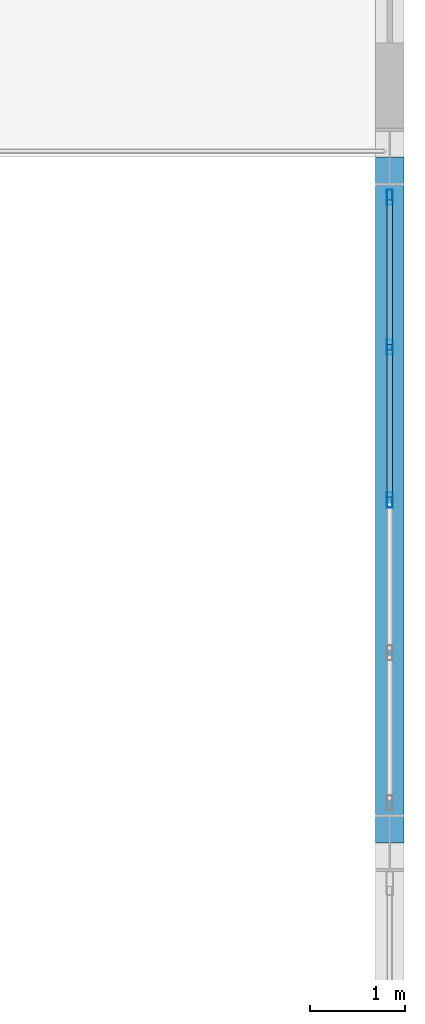
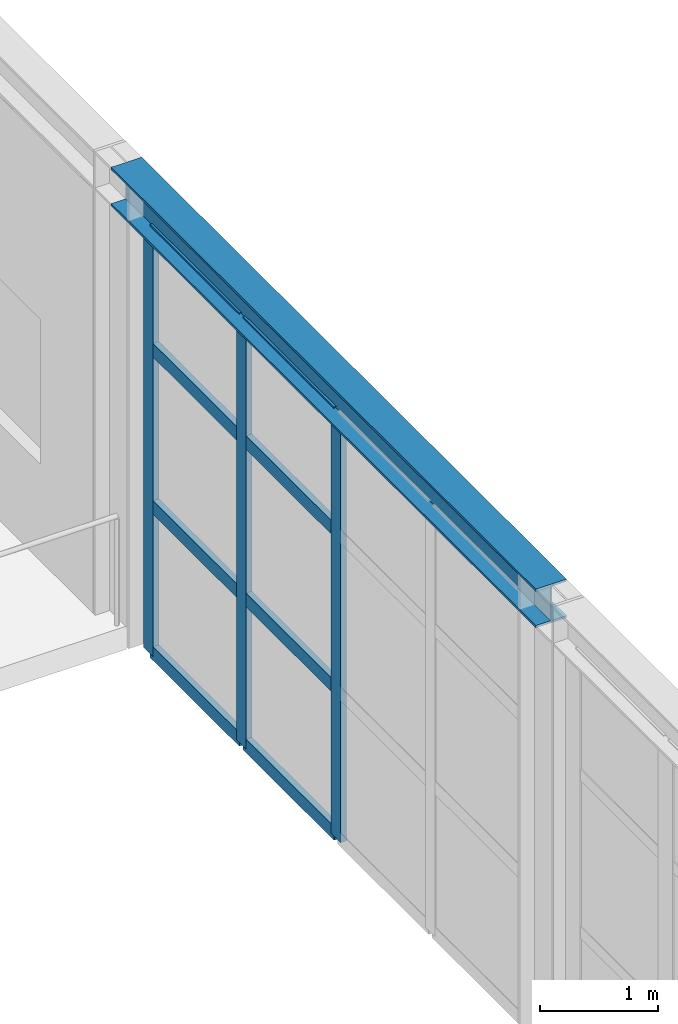
# One storey, part 68 of 126: 11 members, 1 beam, 1 element without a shape of its own.
"""IFC4 building model written with IfcOpenShell, lengths in metres."""

from ifc_helpers import new_model, si_unit, direction, frame, origin, origin_2d, place, context, subcontext, project, spatial, hollow_rectangle, i_section, extrude, material, layer, layer_set, material_profile, profile_set, type_object, element, aggregate, save


model = new_model("IFC4")

# Units and contexts
model_context = context("Model", 3, precision=1e-05, world=origin(), true_north=direction((0.0, 1.0)))
body_context = subcontext(model_context, "Body", "Model", "MODEL_VIEW")
ifc_project = project(units=[si_unit("LENGTHUNIT", "METRE"), si_unit("AREAUNIT", "SQUARE_METRE"), si_unit("VOLUMEUNIT", "CUBIC_METRE"), si_unit("PLANEANGLEUNIT", "RADIAN"), si_unit("MASSUNIT", "GRAM", prefix="KILO")], contexts=[model_context])

# Site, building, storey
site_placement = place(None, origin())
site = spatial("IfcSite", under=ifc_project, at=site_placement, CompositionType="ELEMENT")
building_placement = place(site_placement, origin())
building = spatial("IfcBuilding", under=site, at=building_placement, Name="Solvadek Multi-Sports Hall", CompositionType="ELEMENT")
storey_placement = place(building_placement, frame((0.0, 0.0, 9.60009765625)))
storey = spatial("IfcBuildingStorey", under=building, at=storey_placement, Name="L02", CompositionType="ELEMENT", Elevation=9.60009765625)

# Curtain wall, members
ifc_material_1 = material(Name="Anodised aluminium", Category="aluminium")
ifc_layer = layer(ifc_material_1, 0.159912109375, Name="Anodised aluminium")
ifc_layer_set = layer_set([ifc_layer], Name="Anodised aluminium")
curtain_wall_type = type_object("IfcCurtainWallType", Name="ENV-CW-642X440", PredefinedType="USERDEFINED", material=ifc_layer_set)
curtain_wall_placement = place(storey_placement, origin())
curtain_wall = element("IfcCurtainWall", 1, at=curtain_wall_placement, inside=storey, type_object=curtain_wall_type, Name="L02 Perimeter Bay Curtain Wall #150", ObjectType="CURTAIN WALL", PredefinedType="USERDEFINED")
ifc_material_profile_1 = material_profile(ifc_material_1, hollow_rectangle(XDim=0.06005859375, YDim=0.159912109375, WallThickness=0.00390625, at=origin_2d()), Name="ALU-M 160x60x4")
ifc_profile_set_1 = profile_set([ifc_material_profile_1], Name="Anodised aluminium")
member_type_1 = type_object("IfcMemberType", Name="ENV-CWM-01", PredefinedType="MULLION", material=ifc_profile_set_1)
member_1_placement = place(storey_placement, frame((161.39990234375, 60.0, 0.0), z_axis=(0.0, 0.0, 1.0), x_axis=(-1.0, 0.0, 0.0)))
member_1 = element("IfcMember", 2, at=member_1_placement, type_object=member_type_1, Name="CW-54 mullion 3", PredefinedType="MULLION", context=body_context, shape_type="SweptSolid", body=[
    extrude(hollow_rectangle(XDim=0.06005859375, YDim=0.159912109375, WallThickness=0.00390625, at=origin_2d()), origin(), (0.0, 0.0, 1.0), 4.40185546875),
])
member_2_placement = place(storey_placement, frame((161.39990234375, 61.60498046875, 0.0), z_axis=(0.0, 0.0, 1.0), x_axis=(-1.0, 0.0, 0.0)))
member_2 = element("IfcMember", 3, at=member_2_placement, type_object=member_type_1, Name="CW-54 mullion 4", PredefinedType="MULLION", context=body_context, shape_type="SweptSolid", body=[
    extrude(hollow_rectangle(XDim=0.06005859375, YDim=0.159912109375, WallThickness=0.00390625, at=origin_2d()), origin(), (0.0, 0.0, 1.0), 4.40185546875),
])
member_3_placement = place(storey_placement, frame((161.39990234375, 63.179931640625, 0.0), z_axis=(0.0, 0.0, 1.0), x_axis=(-1.0, 0.0, 0.0)))
member_3 = element("IfcMember", 4, at=member_3_placement, type_object=member_type_1, Name="CW-54 mullion 5", PredefinedType="MULLION", context=body_context, shape_type="SweptSolid", body=[
    extrude(hollow_rectangle(XDim=0.06005859375, YDim=0.159912109375, WallThickness=0.00390625, at=origin_2d()), origin(), (0.0, 0.0, 1.0), 4.40185546875),
])
ifc_material_profile_2 = material_profile(ifc_material_1, hollow_rectangle(XDim=0.06005859375, YDim=0.139892578125, WallThickness=0.00390625, at=origin_2d()), Name="ALU-T 140x60x4")
ifc_profile_set_2 = profile_set([ifc_material_profile_2], Name="Anodised aluminium")
member_type_2 = type_object("IfcMemberType", Name="ENV-CWT-02", PredefinedType="USERDEFINED", material=ifc_profile_set_2)
member_4_placement = place(storey_placement, frame((161.39990234375, 60.030029296875, 0.02978515625), z_axis=(0.0, 1.0, 0.0), x_axis=(-1.0, 0.0, 0.0)))
member_4 = element("IfcMember", 5, at=member_4_placement, type_object=member_type_2, Name="CW-54 transom 3.1", ObjectType="TRANSOM", PredefinedType="USERDEFINED", context=body_context, shape_type="SweptSolid", body=[
    extrude(hollow_rectangle(XDim=0.06005859375, YDim=0.139892578125, WallThickness=0.00390625, at=origin_2d()), origin(), (0.0, 0.0, 1.0), 1.544921875),
])
member_5_placement = place(storey_placement, frame((161.39990234375, 60.030029296875, 1.541015625), z_axis=(0.0, 1.0, 0.0), x_axis=(-1.0, 0.0, 0.0)))
member_5 = element("IfcMember", 6, at=member_5_placement, type_object=member_type_2, Name="CW-54 transom 3.2", ObjectType="TRANSOM", PredefinedType="USERDEFINED", context=body_context, shape_type="SweptSolid", body=[
    extrude(hollow_rectangle(XDim=0.06005859375, YDim=0.139892578125, WallThickness=0.00390625, at=origin_2d()), origin(), (0.0, 0.0, 1.0), 1.544921875),
])
member_6_placement = place(storey_placement, frame((161.39990234375, 60.030029296875, 3.1689453125), z_axis=(0.0, 1.0, 0.0), x_axis=(-1.0, 0.0, 0.0)))
member_6 = element("IfcMember", 7, at=member_6_placement, type_object=member_type_2, Name="CW-54 transom 3.3", ObjectType="TRANSOM", PredefinedType="USERDEFINED", context=body_context, shape_type="SweptSolid", body=[
    extrude(hollow_rectangle(XDim=0.06005859375, YDim=0.139892578125, WallThickness=0.00390625, at=origin_2d()), origin(), (0.0, 0.0, 1.0), 1.544921875),
])
member_7_placement = place(storey_placement, frame((161.39990234375, 60.030029296875, 4.371826171875), z_axis=(0.0, 1.0, 0.0), x_axis=(-1.0, 0.0, 0.0)))
member_7 = element("IfcMember", 8, at=member_7_placement, type_object=member_type_2, Name="CW-54 transom 3.4", ObjectType="TRANSOM", PredefinedType="USERDEFINED", context=body_context, shape_type="SweptSolid", body=[
    extrude(hollow_rectangle(XDim=0.06005859375, YDim=0.139892578125, WallThickness=0.00390625, at=origin_2d()), origin(), (0.0, 0.0, 1.0), 1.544921875),
])
member_8_placement = place(storey_placement, frame((161.39990234375, 61.635009765625, 0.02978515625), z_axis=(0.0, 1.0, 0.0), x_axis=(-1.0, 0.0, 0.0)))
member_8 = element("IfcMember", 9, at=member_8_placement, type_object=member_type_2, Name="CW-54 transom 4.1", ObjectType="TRANSOM", PredefinedType="USERDEFINED", context=body_context, shape_type="SweptSolid", body=[
    extrude(hollow_rectangle(XDim=0.06005859375, YDim=0.139892578125, WallThickness=0.00390625, at=origin_2d()), origin(), (0.0, 0.0, 1.0), 1.514892578125),
])
member_9_placement = place(storey_placement, frame((161.39990234375, 61.635009765625, 1.541015625), z_axis=(0.0, 1.0, 0.0), x_axis=(-1.0, 0.0, 0.0)))
member_9 = element("IfcMember", 10, at=member_9_placement, type_object=member_type_2, Name="CW-54 transom 4.2", ObjectType="TRANSOM", PredefinedType="USERDEFINED", context=body_context, shape_type="SweptSolid", body=[
    extrude(hollow_rectangle(XDim=0.06005859375, YDim=0.139892578125, WallThickness=0.00390625, at=origin_2d()), origin(), (0.0, 0.0, 1.0), 1.514892578125),
])
member_10_placement = place(storey_placement, frame((161.39990234375, 61.635009765625, 3.1689453125), z_axis=(0.0, 1.0, 0.0), x_axis=(-1.0, 0.0, 0.0)))
member_10 = element("IfcMember", 11, at=member_10_placement, type_object=member_type_2, Name="CW-54 transom 4.3", ObjectType="TRANSOM", PredefinedType="USERDEFINED", context=body_context, shape_type="SweptSolid", body=[
    extrude(hollow_rectangle(XDim=0.06005859375, YDim=0.139892578125, WallThickness=0.00390625, at=origin_2d()), origin(), (0.0, 0.0, 1.0), 1.514892578125),
])
member_11_placement = place(storey_placement, frame((161.39990234375, 61.635009765625, 4.371826171875), z_axis=(0.0, 1.0, 0.0), x_axis=(-1.0, 0.0, 0.0)))
member_11 = element("IfcMember", 12, at=member_11_placement, type_object=member_type_2, Name="CW-54 transom 4.4", ObjectType="TRANSOM", PredefinedType="USERDEFINED", context=body_context, shape_type="SweptSolid", body=[
    extrude(hollow_rectangle(XDim=0.06005859375, YDim=0.139892578125, WallThickness=0.00390625, at=origin_2d()), origin(), (0.0, 0.0, 1.0), 1.514892578125),
])
aggregate(curtain_wall, [member_1, member_2, member_3, member_4, member_5, member_6, member_7, member_8, member_9, member_10, member_11])

# Beam
ifc_material_2 = material(Name="Steel E350 (350 MPa)", Category="steel")
ifc_material_profile_3 = material_profile(ifc_material_2, i_section(OverallWidth=0.300048828125, OverallDepth=0.39990234375, WebThickness=0.013427734375, FlangeThickness=0.02392578125, at=origin_2d()), Name="WPB 400")
ifc_profile_set_3 = profile_set([ifc_material_profile_3], Name="Steel E350 (350 MPa)")
beam_type = type_object("IfcBeamType", Name="STR-SPN-WPB400", PredefinedType="SPANDREL", material=ifc_profile_set_3)
beam_placement = place(storey_placement, frame((161.39990234375, 56.39990234375, 4.599853515625), z_axis=(0.0, 1.0, 0.0), x_axis=(-1.0, 0.0, 0.0)))
element("IfcBeam", 13, at=beam_placement, inside=storey, type_object=beam_type, Name="L02 V2 East Spandrel #87", PredefinedType="SPANDREL", context=body_context, shape_type="SweptSolid", body=[
    extrude(i_section(OverallWidth=0.300048828125, OverallDepth=0.39990234375, WebThickness=0.013427734375, FlangeThickness=0.02392578125, at=origin_2d()), origin(), (0.0, 0.0, 1.0), 7.2001953125),
])

save(model, "model.ifc")
